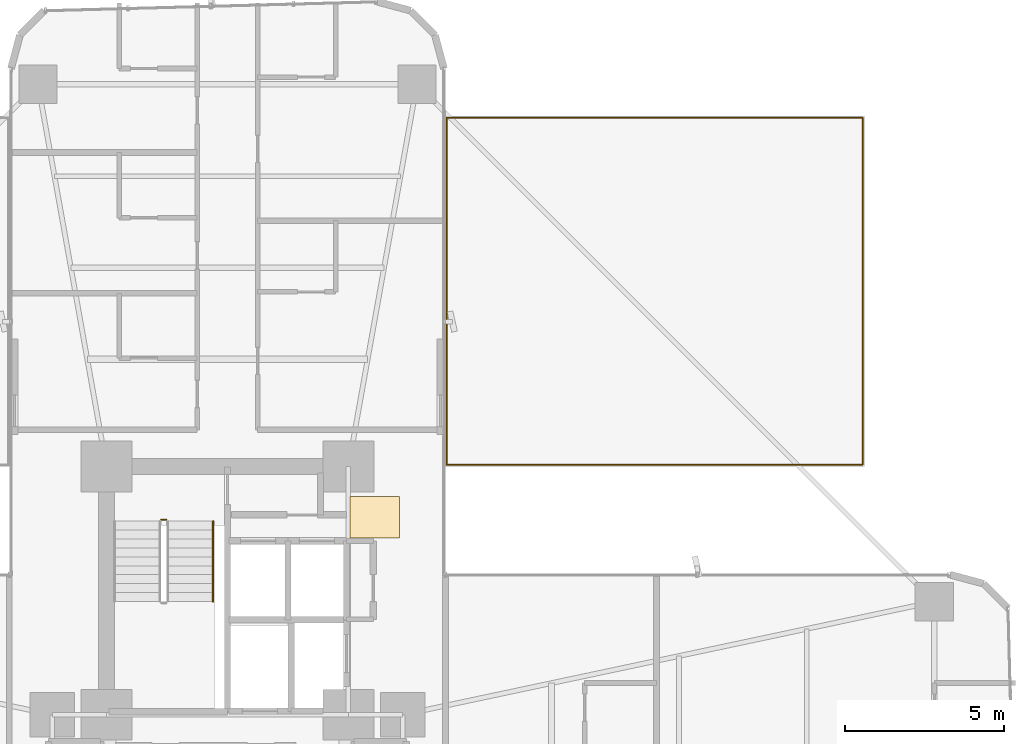
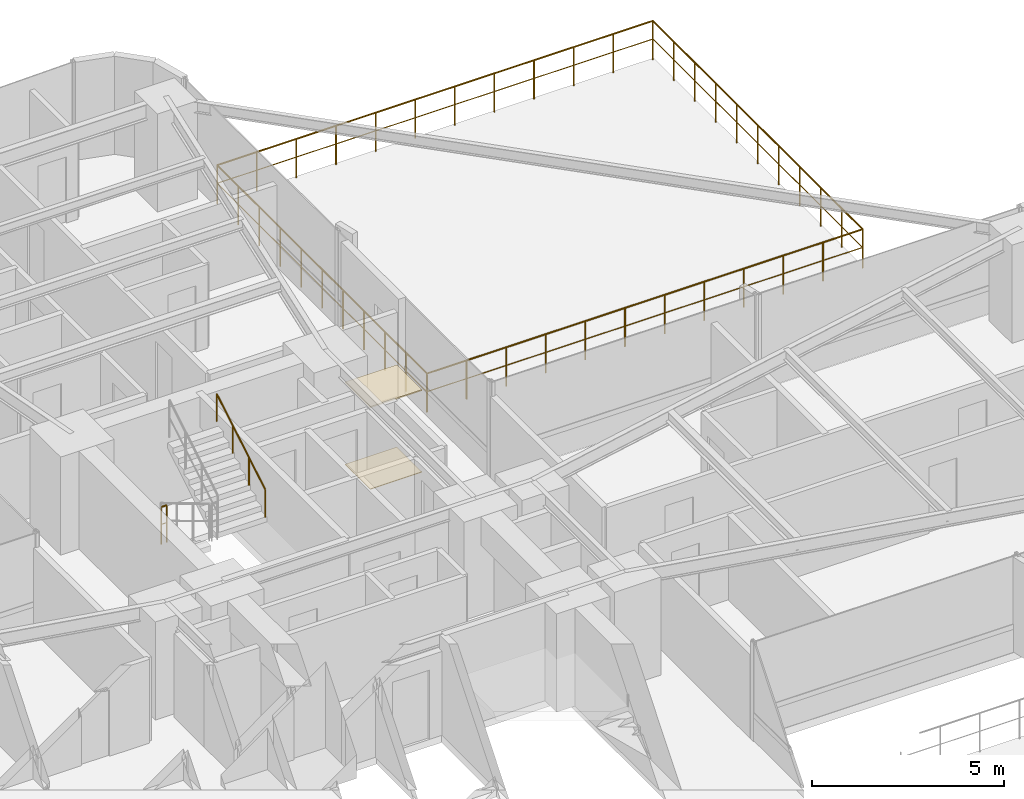
# One storey, part 27 of 27: 3 railings, 2 coverings.
"""IFC4 building model written with IfcOpenShell, lengths in metres."""

from ifc_helpers import new_model, si_unit, direction, frame, origin, origin_2d, place, context, subcontext, project, spatial, polyline, circle, outline, extrude, material, layer, layer_set, type_object, element, save


model = new_model("IFC4")

# Units and contexts
model_context = context("Model", 3, precision=1e-05, world=origin(), true_north=direction((0.0, 1.0)))
body_context = subcontext(model_context, "Body", "Model", "MODEL_VIEW")
ifc_project = project(units=[si_unit("LENGTHUNIT", "METRE"), si_unit("AREAUNIT", "SQUARE_METRE"), si_unit("VOLUMEUNIT", "CUBIC_METRE"), si_unit("PLANEANGLEUNIT", "RADIAN"), si_unit("MASSUNIT", "GRAM", prefix="KILO")], contexts=[model_context])

# Site, building, storey
site_placement = place(None, origin())
site = spatial("IfcSite", under=ifc_project, at=site_placement, CompositionType="ELEMENT")
building_placement = place(site_placement, origin())
building = spatial("IfcBuilding", under=site, at=building_placement, Name="Sahyath Konkavel Grand Hotel", CompositionType="ELEMENT")
storey_placement = place(building_placement, frame((0.0, 0.0, 23.10009765625)))
storey = spatial("IfcBuildingStorey", under=building, at=storey_placement, Name="L05", CompositionType="ELEMENT", Elevation=23.10009765625)

# Coverings
ifc_material_1 = material(Name="Perforated Acoustic Gypsum and Teak Baffle Ceiling")
ifc_layer_1 = layer(ifc_material_1, 0.044921875)
ifc_layer_set_1 = layer_set([ifc_layer_1], Name="Perforated Acoustic Gypsum and Teak Baffle Ceiling")
covering_type_1 = type_object("IfcCoveringType", Name="COV-ACOUSTIC-CLG", PredefinedType="CEILING", material=ifc_layer_set_1)
covering_1_placement = place(storey_placement, frame((0.0, 0.0, 2.58984375)))
element("IfcCovering", 1, at=covering_1_placement, inside=storey, type_object=covering_type_1, Name="L05 Core Vestibule Acoustic Ceiling", PredefinedType="CEILING", context=body_context, shape_type="SweptSolid", body=[
    extrude(outline(polyline([(3.85009765625, 7.949951171875), (5.39990234375, 7.949951171875), (5.39990234375, 9.25), (3.85009765625, 9.25), (3.85009765625, 7.949951171875)])), origin(), (0.0, 0.0, 1.0), 0.0400390625),
])
ifc_material_2 = material(Name="Polished Konkan Aggregate Terrazzo Flooring")
ifc_layer_2 = layer(ifc_material_2, 0.02001953125)
ifc_layer_set_2 = layer_set([ifc_layer_2], Name="Polished Konkan Aggregate Terrazzo Flooring")
covering_type_2 = type_object("IfcCoveringType", Name="COV-TERRAZZO", PredefinedType="FLOORING", material=ifc_layer_set_2)
covering_2_placement = place(storey_placement, origin())
element("IfcCovering", 2, at=covering_2_placement, inside=storey, type_object=covering_type_2, Name="L05 Core Vestibule Terrazzo Flooring", PredefinedType="FLOORING", context=body_context, shape_type="SweptSolid", body=[
    extrude(outline(polyline([(3.85009765625, 7.949951171875), (5.39990234375, 7.949951171875), (5.39990234375, 9.25), (3.85009765625, 9.25), (3.85009765625, 7.949951171875)])), origin(), (0.0, 0.0, 1.0), 0.02001953125),
])

# Railings
ifc_material_3 = material(Name="Steel E350", Category="steel")
railing_type_1 = type_object("IfcRailingType", Name="RLG-STAIR-GRD", PredefinedType="GUARDRAIL", material=ifc_material_3)
railing_1_placement = place(storey_placement, frame((-2.080078125, 8.530029296875, 0.0)))
element("IfcRailing", 3, at=railing_1_placement, inside=storey, type_object=railing_type_1, Name="L05 ST-1 stair guard 4", PredefinedType="GUARDRAIL", context=body_context, shape_type="SweptSolid", body=[
    extrude(circle(Radius=0.02392578125, at=origin_2d()), frame((0.001953125, 0.0, 1.17578125), z_axis=(1.0, 0.0, 0.0), x_axis=(0.0, 1.0, 0.0)), (0.0, 0.0, 1.0), 0.15625),
    extrude(circle(Radius=0.01416015625, at=origin_2d()), frame((0.001953125, 0.0, 0.6240234375), z_axis=(1.0, 0.0, 0.0), x_axis=(0.0, 1.0, 0.0)), (0.0, 0.0, 1.0), 0.15625),
    extrude(circle(Radius=0.02099609375, at=origin_2d()), origin(), (0.0, 0.0, 1.0), 1.15185546875),
    extrude(circle(Radius=0.02099609375, at=origin_2d()), frame((0.16015625, 0.0, 0.0)), (0.0, 0.0, 1.0), 1.15185546875),
])
ifc_material_4 = material(Name="Anodised Bronze Aluminium", Category="aluminium")
railing_type_2 = type_object("IfcRailingType", Name="RLG-STAIR-HND", PredefinedType="HANDRAIL", material=ifc_material_4)
railing_2_placement = place(storey_placement, frame((-0.449951171875, 5.9599609375, 1.84228515625)))
element("IfcRailing", 4, at=railing_2_placement, inside=storey, type_object=railing_type_2, Name="L05 ST-1 stair handrail 2", PredefinedType="HANDRAIL", context=body_context, shape_type="SweptSolid", body=[
    extrude(circle(Radius=0.02392578125, at=origin_2d()), frame((0.0, 0.001708984375, 0.876953125), z_axis=(0.0, 0.858159760407, 0.513382728203), x_axis=(-1.0, 0.0, 0.0)), (0.0, 0.0, 1.0), 2.9326171875),
    extrude(circle(Radius=0.02099609375, at=origin_2d()), origin(), (0.0, 0.0, 1.0), 0.851806640625),
    extrude(circle(Radius=0.02099609375, at=origin_2d()), frame((0.0, 0.840087890625, 0.50244140625)), (0.0, 0.0, 1.0), 0.851806640625),
    extrude(circle(Radius=0.02099609375, at=origin_2d()), frame((0.0, 1.679931640625, 1.005126953125)), (0.0, 0.0, 1.0), 0.851806640625),
    extrude(circle(Radius=0.02099609375, at=origin_2d()), frame((0.0, 2.52001953125, 1.507568359375)), (0.0, 0.0, 1.0), 0.851806640625),
])
ifc_material_5 = material(Name="Warm Buff Sandstone & Bronze Balustrade", Category="masonry")
railing_type_3 = type_object("IfcRailingType", Name="RLG-TERR-1250", PredefinedType="BALUSTRADE", material=ifc_material_5)
railing_3_placement = place(storey_placement, frame((6.8798828125, 10.25, 0.0)))
element("IfcRailing", 5, at=railing_3_placement, inside=storey, type_object=railing_type_3, Name="Podium Roof Terrace Guard NE", PredefinedType="BALUSTRADE", context=body_context, shape_type="SweptSolid", body=[
    extrude(circle(Radius=0.02392578125, at=origin_2d()), frame((0.001953125, 0.0, 1.22607421875), z_axis=(1.0, 0.0, 0.0), x_axis=(0.0, 1.0, 0.0)), (0.0, 0.0, 1.0), 13.066162109375),
    extrude(circle(Radius=0.01416015625, at=origin_2d()), frame((0.001953125, 0.0, 0.64990234375), z_axis=(1.0, 0.0, 0.0), x_axis=(0.0, 1.0, 0.0)), (0.0, 0.0, 1.0), 13.066162109375),
    extrude(circle(Radius=0.02392578125, at=origin_2d()), frame((13.070068359375, 0.001953125, 1.22607421875), z_axis=(0.0, 1.0, 0.0), x_axis=(-1.0, 0.0, 0.0)), (0.0, 0.0, 1.0), 10.89599609375),
    extrude(circle(Radius=0.01416015625, at=origin_2d()), frame((13.070068359375, 0.001953125, 0.64990234375), z_axis=(0.0, 1.0, 0.0), x_axis=(-1.0, 0.0, 0.0)), (0.0, 0.0, 1.0), 10.89599609375),
    extrude(circle(Radius=0.02392578125, at=origin_2d()), frame((13.068115234375, 10.89990234375, 1.22607421875), z_axis=(-1.0, 0.0, 0.0), x_axis=(0.0, -1.0, 0.0)), (0.0, 0.0, 1.0), 13.066162109375),
    extrude(circle(Radius=0.01416015625, at=origin_2d()), frame((13.068115234375, 10.89990234375, 0.64990234375), z_axis=(-1.0, 0.0, 0.0), x_axis=(0.0, -1.0, 0.0)), (0.0, 0.0, 1.0), 13.066162109375),
    extrude(circle(Radius=0.02392578125, at=origin_2d()), frame((0.0, 10.89794921875, 1.22607421875), z_axis=(0.0, -1.0, 0.0), x_axis=(1.0, 0.0, 0.0)), (0.0, 0.0, 1.0), 10.89599609375),
    extrude(circle(Radius=0.01416015625, at=origin_2d()), frame((0.0, 10.89794921875, 0.64990234375), z_axis=(0.0, -1.0, 0.0), x_axis=(1.0, 0.0, 0.0)), (0.0, 0.0, 1.0), 10.89599609375),
    extrude(circle(Radius=0.02099609375, at=origin_2d()), origin(), (0.0, 0.0, 1.0), 1.201904296875),
    extrude(circle(Radius=0.02099609375, at=origin_2d()), frame((1.188232421875, 0.0, 0.0)), (0.0, 0.0, 1.0), 1.201904296875),
    extrude(circle(Radius=0.02099609375, at=origin_2d()), frame((2.37646484375, 0.0, 0.0)), (0.0, 0.0, 1.0), 1.201904296875),
    extrude(circle(Radius=0.02099609375, at=origin_2d()), frame((3.564453125, 0.0, 0.0)), (0.0, 0.0, 1.0), 1.201904296875),
    extrude(circle(Radius=0.02099609375, at=origin_2d()), frame((4.752685546875, 0.0, 0.0)), (0.0, 0.0, 1.0), 1.201904296875),
    extrude(circle(Radius=0.02099609375, at=origin_2d()), frame((5.94091796875, 0.0, 0.0)), (0.0, 0.0, 1.0), 1.201904296875),
    extrude(circle(Radius=0.02099609375, at=origin_2d()), frame((7.129150390625, 0.0, 0.0)), (0.0, 0.0, 1.0), 1.201904296875),
    extrude(circle(Radius=0.02099609375, at=origin_2d()), frame((8.3173828125, 0.0, 0.0)), (0.0, 0.0, 1.0), 1.201904296875),
    extrude(circle(Radius=0.02099609375, at=origin_2d()), frame((9.505615234375, 0.0, 0.0)), (0.0, 0.0, 1.0), 1.201904296875),
    extrude(circle(Radius=0.02099609375, at=origin_2d()), frame((10.693603515625, 0.0, 0.0)), (0.0, 0.0, 1.0), 1.201904296875),
    extrude(circle(Radius=0.02099609375, at=origin_2d()), frame((11.8818359375, 0.0, 0.0)), (0.0, 0.0, 1.0), 1.201904296875),
    extrude(circle(Radius=0.02099609375, at=origin_2d()), frame((13.070068359375, 0.0, 0.0)), (0.0, 0.0, 1.0), 1.201904296875),
    extrude(circle(Radius=0.02099609375, at=origin_2d()), frame((13.070068359375, 1.090087890625, 0.0)), (0.0, 0.0, 1.0), 1.201904296875),
    extrude(circle(Radius=0.02099609375, at=origin_2d()), frame((13.070068359375, 2.179931640625, 0.0)), (0.0, 0.0, 1.0), 1.201904296875),
    extrude(circle(Radius=0.02099609375, at=origin_2d()), frame((13.070068359375, 3.27001953125, 0.0)), (0.0, 0.0, 1.0), 1.201904296875),
    extrude(circle(Radius=0.02099609375, at=origin_2d()), frame((13.070068359375, 4.35986328125, 0.0)), (0.0, 0.0, 1.0), 1.201904296875),
    extrude(circle(Radius=0.02099609375, at=origin_2d()), frame((13.070068359375, 5.449951171875, 0.0)), (0.0, 0.0, 1.0), 1.201904296875),
    extrude(circle(Radius=0.02099609375, at=origin_2d()), frame((13.070068359375, 6.5400390625, 0.0)), (0.0, 0.0, 1.0), 1.201904296875),
    extrude(circle(Radius=0.02099609375, at=origin_2d()), frame((13.070068359375, 7.6298828125, 0.0)), (0.0, 0.0, 1.0), 1.201904296875),
    extrude(circle(Radius=0.02099609375, at=origin_2d()), frame((13.070068359375, 8.719970703125, 0.0)), (0.0, 0.0, 1.0), 1.201904296875),
    extrude(circle(Radius=0.02099609375, at=origin_2d()), frame((13.070068359375, 9.809814453125, 0.0)), (0.0, 0.0, 1.0), 1.201904296875),
    extrude(circle(Radius=0.02099609375, at=origin_2d()), frame((13.070068359375, 10.89990234375, 0.0)), (0.0, 0.0, 1.0), 1.201904296875),
    extrude(circle(Radius=0.02099609375, at=origin_2d()), frame((11.8818359375, 10.89990234375, 0.0)), (0.0, 0.0, 1.0), 1.201904296875),
    extrude(circle(Radius=0.02099609375, at=origin_2d()), frame((10.693603515625, 10.89990234375, 0.0)), (0.0, 0.0, 1.0), 1.201904296875),
    extrude(circle(Radius=0.02099609375, at=origin_2d()), frame((9.505615234375, 10.89990234375, 0.0)), (0.0, 0.0, 1.0), 1.201904296875),
    extrude(circle(Radius=0.02099609375, at=origin_2d()), frame((8.3173828125, 10.89990234375, 0.0)), (0.0, 0.0, 1.0), 1.201904296875),
    extrude(circle(Radius=0.02099609375, at=origin_2d()), frame((7.129150390625, 10.89990234375, 0.0)), (0.0, 0.0, 1.0), 1.201904296875),
    extrude(circle(Radius=0.02099609375, at=origin_2d()), frame((5.94091796875, 10.89990234375, 0.0)), (0.0, 0.0, 1.0), 1.201904296875),
    extrude(circle(Radius=0.02099609375, at=origin_2d()), frame((4.752685546875, 10.89990234375, 0.0)), (0.0, 0.0, 1.0), 1.201904296875),
    extrude(circle(Radius=0.02099609375, at=origin_2d()), frame((3.564453125, 10.89990234375, 0.0)), (0.0, 0.0, 1.0), 1.201904296875),
    extrude(circle(Radius=0.02099609375, at=origin_2d()), frame((2.37646484375, 10.89990234375, 0.0)), (0.0, 0.0, 1.0), 1.201904296875),
    extrude(circle(Radius=0.02099609375, at=origin_2d()), frame((1.188232421875, 10.89990234375, 0.0)), (0.0, 0.0, 1.0), 1.201904296875),
    extrude(circle(Radius=0.02099609375, at=origin_2d()), frame((0.0, 10.89990234375, 0.0)), (0.0, 0.0, 1.0), 1.201904296875),
    extrude(circle(Radius=0.02099609375, at=origin_2d()), frame((0.0, 9.809814453125, 0.0)), (0.0, 0.0, 1.0), 1.201904296875),
    extrude(circle(Radius=0.02099609375, at=origin_2d()), frame((0.0, 8.719970703125, 0.0)), (0.0, 0.0, 1.0), 1.201904296875),
    extrude(circle(Radius=0.02099609375, at=origin_2d()), frame((0.0, 7.6298828125, 0.0)), (0.0, 0.0, 1.0), 1.201904296875),
    extrude(circle(Radius=0.02099609375, at=origin_2d()), frame((0.0, 6.5400390625, 0.0)), (0.0, 0.0, 1.0), 1.201904296875),
    extrude(circle(Radius=0.02099609375, at=origin_2d()), frame((0.0, 5.449951171875, 0.0)), (0.0, 0.0, 1.0), 1.201904296875),
    extrude(circle(Radius=0.02099609375, at=origin_2d()), frame((0.0, 4.35986328125, 0.0)), (0.0, 0.0, 1.0), 1.201904296875),
    extrude(circle(Radius=0.02099609375, at=origin_2d()), frame((0.0, 3.27001953125, 0.0)), (0.0, 0.0, 1.0), 1.201904296875),
    extrude(circle(Radius=0.02099609375, at=origin_2d()), frame((0.0, 2.179931640625, 0.0)), (0.0, 0.0, 1.0), 1.201904296875),
    extrude(circle(Radius=0.02099609375, at=origin_2d()), frame((0.0, 1.090087890625, 0.0)), (0.0, 0.0, 1.0), 1.201904296875),
])

save(model, "model.ifc")
